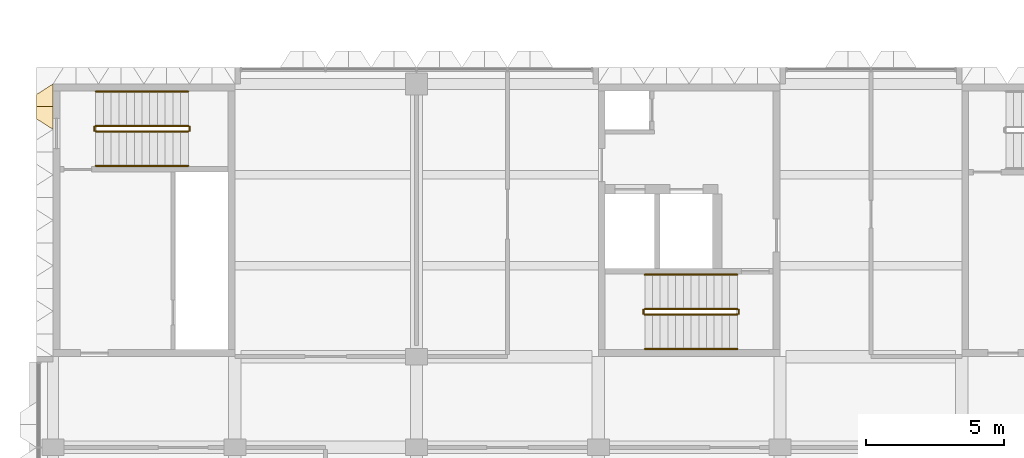
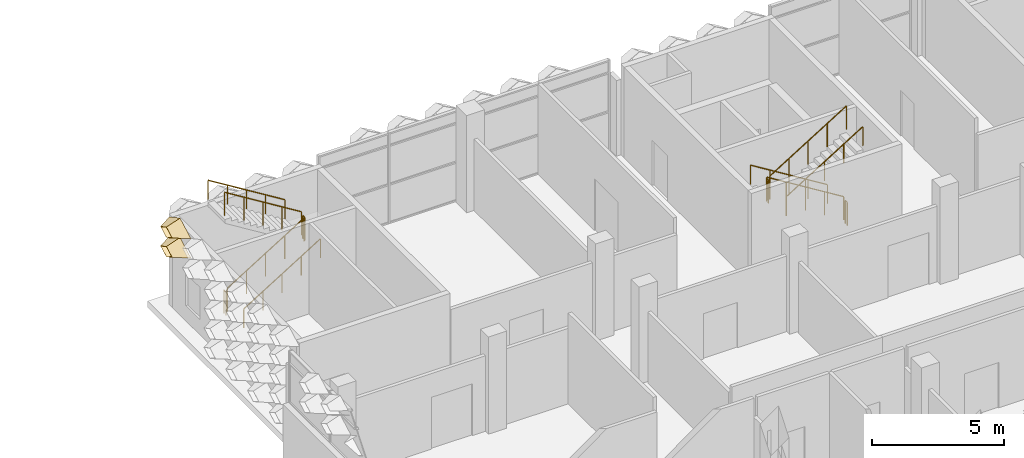
# One storey, part 60 of 102: 12 railings, 2 coverings.
"""IFC4 building model written with IfcOpenShell, lengths in metres."""

from ifc_helpers import new_model, entity, si_unit, direction, frame, origin, origin_2d, place, context, subcontext, project, spatial, circle, extrude, material, layer, layer_set, type_object, element, save


model = new_model("IFC4")

# Units and contexts
model_context = context("Model", 3, precision=1e-05, world=origin(), true_north=direction((0.0, 1.0)))
body_context = subcontext(model_context, "Body", "Model", "MODEL_VIEW")
ifc_project = project(units=[si_unit("LENGTHUNIT", "METRE"), si_unit("AREAUNIT", "SQUARE_METRE"), si_unit("VOLUMEUNIT", "CUBIC_METRE"), si_unit("PLANEANGLEUNIT", "RADIAN"), si_unit("MASSUNIT", "GRAM", prefix="KILO")], contexts=[model_context])

# Site, building, storey
site_placement = place(None, origin())
site = spatial("IfcSite", under=ifc_project, at=site_placement, CompositionType="ELEMENT")
building_placement = place(site_placement, origin())
building = spatial("IfcBuilding", under=site, at=building_placement, Name="Lantern Court Research Institute", CompositionType="ELEMENT")
storey_placement = place(building_placement, frame((0.0, 0.0, 9.89990234375)))
storey = spatial("IfcBuildingStorey", under=building, at=storey_placement, Name="L02", CompositionType="ELEMENT", Elevation=9.89990234375)

# Coverings
ifc_material_1 = material(Name="Anodised aluminium", Category="aluminium")
ifc_layer = layer(ifc_material_1, 0.01611328125)
ifc_layer_set = layer_set([ifc_layer], Name="Anodised aluminium")
covering_type = type_object("IfcCoveringType", Name="Fin cassette 1650 x 900 x 600 aluminium", PredefinedType="CLADDING", material=ifc_layer_set)
covering_1_placement = place(storey_placement, frame((0.0, 22.27490234375, 3.150146484375), z_axis=(-1.0, 0.0, 0.0), x_axis=(0.0, -1.0, 0.0)))
cartesian_point_1 = entity("IfcCartesianPoint", [0.824951171875, 0.0])
cartesian_point_2 = entity("IfcCartesianPoint", [0.79150390625, 0.0])
cartesian_point_3 = entity("IfcCartesianPoint", [0.44189453125, 0.0])
cartesian_point_4 = entity("IfcCartesianPoint", [0.43359375, 0.0])
element("IfcCovering", 1, at=covering_1_placement, inside=storey, type_object=covering_type, Name="Fin cassette V4W-L02 4.14", PredefinedType="CLADDING", context=body_context, shape_type="SweptSolid", body=[
    entity("IfcExtrudedAreaSolidTapered", entity("IfcArbitraryProfileDefWithVoids", "AREA", None, entity("IfcPolyline", [cartesian_point_1, entity("IfcCartesianPoint", [0.0, 0.449951171875]), entity("IfcCartesianPoint", [-0.824951171875, 0.0]), entity("IfcCartesianPoint", [0.0, -0.449951171875]), cartesian_point_1]), [entity("IfcPolyline", [cartesian_point_2, entity("IfcCartesianPoint", [0.0, 0.431884765625]), entity("IfcCartesianPoint", [-0.79150390625, 0.0]), entity("IfcCartesianPoint", [0.0, -0.431884765625]), cartesian_point_2])]), entity("IfcAxis2Placement3D", entity("IfcCartesianPoint", [0.0, 0.0, 0.0])), entity("IfcDirection", [0.0, 0.0, 1.0]), 0.60009765625, entity("IfcArbitraryProfileDefWithVoids", "AREA", None, entity("IfcPolyline", [cartesian_point_3, entity("IfcCartesianPoint", [0.0, 0.240966796875]), entity("IfcCartesianPoint", [-0.44189453125, 0.0]), entity("IfcCartesianPoint", [0.0, -0.240966796875]), cartesian_point_3]), [entity("IfcPolyline", [cartesian_point_4, entity("IfcCartesianPoint", [0.0, 0.236572265625]), entity("IfcCartesianPoint", [-0.43359375, 0.0]), entity("IfcCartesianPoint", [0.0, -0.236572265625]), cartesian_point_4])])),
])
covering_2_placement = place(storey_placement, frame((0.0, 22.27490234375, 4.050048828125), z_axis=(-1.0, 0.0, 0.0), x_axis=(0.0, -1.0, 0.0)))
cartesian_point_5 = entity("IfcCartesianPoint", [0.824951171875, 0.0])
cartesian_point_6 = entity("IfcCartesianPoint", [0.79150390625, 0.0])
cartesian_point_7 = entity("IfcCartesianPoint", [0.44189453125, 0.0])
cartesian_point_8 = entity("IfcCartesianPoint", [0.43359375, 0.0])
element("IfcCovering", 2, at=covering_2_placement, inside=storey, type_object=covering_type, Name="Fin cassette V4W-L02 5.14", PredefinedType="CLADDING", context=body_context, shape_type="SweptSolid", body=[
    entity("IfcExtrudedAreaSolidTapered", entity("IfcArbitraryProfileDefWithVoids", "AREA", None, entity("IfcPolyline", [cartesian_point_5, entity("IfcCartesianPoint", [0.0, 0.449951171875]), entity("IfcCartesianPoint", [-0.824951171875, 0.0]), entity("IfcCartesianPoint", [0.0, -0.449951171875]), cartesian_point_5]), [entity("IfcPolyline", [cartesian_point_6, entity("IfcCartesianPoint", [0.0, 0.431884765625]), entity("IfcCartesianPoint", [-0.79150390625, 0.0]), entity("IfcCartesianPoint", [0.0, -0.431884765625]), cartesian_point_6])]), entity("IfcAxis2Placement3D", entity("IfcCartesianPoint", [0.0, 0.0, 0.0])), entity("IfcDirection", [0.0, 0.0, 1.0]), 0.60009765625, entity("IfcArbitraryProfileDefWithVoids", "AREA", None, entity("IfcPolyline", [cartesian_point_7, entity("IfcCartesianPoint", [0.0, 0.240966796875]), entity("IfcCartesianPoint", [-0.44189453125, 0.0]), entity("IfcCartesianPoint", [0.0, -0.240966796875]), cartesian_point_7]), [entity("IfcPolyline", [cartesian_point_8, entity("IfcCartesianPoint", [0.0, 0.236572265625]), entity("IfcCartesianPoint", [-0.43359375, 0.0]), entity("IfcCartesianPoint", [0.0, -0.236572265625]), cartesian_point_8])])),
])

# Railings
ifc_material_2 = material(Name="Structural steel S355", Category="steel")
railing_type_1 = type_object("IfcRailingType", Name="Stair guard 1100 steel", PredefinedType="GUARDRAIL", material=ifc_material_2)
railing_1_placement = place(storey_placement, frame((1.550048828125, 21.375, 0.173095703125)))
element("IfcRailing", 3, at=railing_1_placement, inside=storey, type_object=railing_type_1, Name="L02 ST-B1 stair guard 1", PredefinedType="GUARDRAIL", context=body_context, shape_type="SweptSolid", body=[
    extrude(circle(Radius=0.02392578125, at=origin_2d()), frame((0.0, 0.0, 1.076171875), z_axis=(0.850606129759, 0.0, 0.525803396734), x_axis=(0.0, 1.0, 0.0)), (0.0, 0.0, 1.0), 3.949951171875),
    extrude(circle(Radius=0.02099609375, at=origin_2d()), origin(), (0.0, 0.0, 1.0), 1.052001953125),
    extrude(circle(Radius=0.02099609375, at=origin_2d()), frame((0.83984375, 0.0, 0.519287109375)), (0.0, 0.0, 1.0), 1.052001953125),
    extrude(circle(Radius=0.02099609375, at=origin_2d()), frame((1.679931640625, 0.0, 1.03857421875)), (0.0, 0.0, 1.0), 1.052001953125),
    extrude(circle(Radius=0.02099609375, at=origin_2d()), frame((2.52001953125, 0.0, 1.5576171875)), (0.0, 0.0, 1.0), 1.052001953125),
    extrude(circle(Radius=0.02099609375, at=origin_2d()), frame((3.35986328125, 0.0, 2.076904296875)), (0.0, 0.0, 1.0), 1.052001953125),
])
railing_2_placement = place(storey_placement, frame((4.9599609375, 21.39990234375, 2.25)))
element("IfcRailing", 4, at=railing_2_placement, inside=storey, type_object=railing_type_1, Name="L02 ST-B1 stair guard 2", PredefinedType="GUARDRAIL", context=body_context, shape_type="SweptSolid", body=[
    extrude(circle(Radius=0.02392578125, at=origin_2d()), frame((0.0, 0.0, 1.076171875), z_axis=(0.0, 1.0, 0.0), x_axis=(-1.0, 0.0, 0.0)), (0.0, 0.0, 1.0), 0.150146484375),
    extrude(circle(Radius=0.02099609375, at=origin_2d()), origin(), (0.0, 0.0, 1.0), 1.052001953125),
    extrude(circle(Radius=0.02099609375, at=origin_2d()), frame((0.0, 0.150146484375, 0.0)), (0.0, 0.0, 1.0), 1.052001953125),
])
railing_3_placement = place(storey_placement, frame((4.909912109375, 21.574951171875, 2.423095703125)))
element("IfcRailing", 5, at=railing_3_placement, inside=storey, type_object=railing_type_1, Name="L02 ST-B1 stair guard 3", PredefinedType="GUARDRAIL", context=body_context, shape_type="SweptSolid", body=[
    extrude(circle(Radius=0.02392578125, at=origin_2d()), frame((0.0, 0.0, 1.076171875), z_axis=(-0.850606129759, 0.0, 0.525803396734), x_axis=(0.0, -1.0, 0.0)), (0.0, 0.0, 1.0), 3.949951171875),
    extrude(circle(Radius=0.02099609375, at=origin_2d()), origin(), (0.0, 0.0, 1.0), 1.052001953125),
    extrude(circle(Radius=0.02099609375, at=origin_2d()), frame((-0.83984375, 0.0, 0.519287109375)), (0.0, 0.0, 1.0), 1.052001953125),
    extrude(circle(Radius=0.02099609375, at=origin_2d()), frame((-1.679931640625, 0.0, 1.03857421875)), (0.0, 0.0, 1.0), 1.052001953125),
    extrude(circle(Radius=0.02099609375, at=origin_2d()), frame((-2.52001953125, 0.0, 1.5576171875)), (0.0, 0.0, 1.0), 1.052001953125),
    extrude(circle(Radius=0.02099609375, at=origin_2d()), frame((-3.35986328125, 0.0, 2.076904296875)), (0.0, 0.0, 1.0), 1.052001953125),
])
railing_4_placement = place(storey_placement, frame((1.5, 21.39990234375, 0.0)))
element("IfcRailing", 6, at=railing_4_placement, inside=storey, type_object=railing_type_1, Name="L02 ST-B1 stair guard 4", PredefinedType="GUARDRAIL", context=body_context, shape_type="SweptSolid", body=[
    extrude(circle(Radius=0.02392578125, at=origin_2d()), frame((0.0, 0.0, 1.076171875), z_axis=(0.0, 1.0, 0.0), x_axis=(-1.0, 0.0, 0.0)), (0.0, 0.0, 1.0), 0.150146484375),
    extrude(circle(Radius=0.02099609375, at=origin_2d()), origin(), (0.0, 0.0, 1.0), 1.052001953125),
    extrude(circle(Radius=0.02099609375, at=origin_2d()), frame((0.0, 0.150146484375, 0.0)), (0.0, 0.0, 1.0), 1.052001953125),
])
railing_5_placement = place(storey_placement, frame((24.85009765625, 14.925048828125, 0.173095703125)))
element("IfcRailing", 7, at=railing_5_placement, inside=storey, type_object=railing_type_1, Name="L02 ST-B2 stair guard 1", PredefinedType="GUARDRAIL", context=body_context, shape_type="SweptSolid", body=[
    extrude(circle(Radius=0.02392578125, at=origin_2d()), frame((0.0, 0.0, 1.076171875), z_axis=(-0.850623216509, 0.0, 0.525775754039), x_axis=(0.0, -1.0, 0.0)), (0.0, 0.0, 1.0), 3.9501953125),
    extrude(circle(Radius=0.02099609375, at=origin_2d()), origin(), (0.0, 0.0, 1.0), 1.052001953125),
    extrude(circle(Radius=0.02099609375, at=origin_2d()), frame((-0.840087890625, 0.0, 0.519287109375)), (0.0, 0.0, 1.0), 1.052001953125),
    extrude(circle(Radius=0.02099609375, at=origin_2d()), frame((-1.68017578125, 0.0, 1.03857421875)), (0.0, 0.0, 1.0), 1.052001953125),
    extrude(circle(Radius=0.02099609375, at=origin_2d()), frame((-2.52001953125, 0.0, 1.5576171875)), (0.0, 0.0, 1.0), 1.052001953125),
    extrude(circle(Radius=0.02099609375, at=origin_2d()), frame((-3.360107421875, 0.0, 2.076904296875)), (0.0, 0.0, 1.0), 1.052001953125),
])
railing_6_placement = place(storey_placement, frame((21.43994140625, 14.89990234375, 2.25)))
element("IfcRailing", 8, at=railing_6_placement, inside=storey, type_object=railing_type_1, Name="L02 ST-B2 stair guard 2", PredefinedType="GUARDRAIL", context=body_context, shape_type="SweptSolid", body=[
    extrude(circle(Radius=0.02392578125, at=origin_2d()), frame((0.0, 0.0, 1.076171875), z_axis=(0.0, -1.0, 0.0), x_axis=(1.0, 0.0, 0.0)), (0.0, 0.0, 1.0), 0.14990234375),
    extrude(circle(Radius=0.02099609375, at=origin_2d()), origin(), (0.0, 0.0, 1.0), 1.052001953125),
    extrude(circle(Radius=0.02099609375, at=origin_2d()), frame((0.0, -0.14990234375, 0.0)), (0.0, 0.0, 1.0), 1.052001953125),
])
railing_7_placement = place(storey_placement, frame((21.489990234375, 14.72509765625, 2.423095703125)))
element("IfcRailing", 9, at=railing_7_placement, inside=storey, type_object=railing_type_1, Name="L02 ST-B2 stair guard 3", PredefinedType="GUARDRAIL", context=body_context, shape_type="SweptSolid", body=[
    extrude(circle(Radius=0.02392578125, at=origin_2d()), frame((0.0, 0.0, 1.076171875), z_axis=(0.850623216509, 0.0, 0.525775754039), x_axis=(0.0, 1.0, 0.0)), (0.0, 0.0, 1.0), 3.9501953125),
    extrude(circle(Radius=0.02099609375, at=origin_2d()), origin(), (0.0, 0.0, 1.0), 1.052001953125),
    extrude(circle(Radius=0.02099609375, at=origin_2d()), frame((0.840087890625, 0.0, 0.519287109375)), (0.0, 0.0, 1.0), 1.052001953125),
    extrude(circle(Radius=0.02099609375, at=origin_2d()), frame((1.68017578125, 0.0, 1.03857421875)), (0.0, 0.0, 1.0), 1.052001953125),
    extrude(circle(Radius=0.02099609375, at=origin_2d()), frame((2.52001953125, 0.0, 1.5576171875)), (0.0, 0.0, 1.0), 1.052001953125),
    extrude(circle(Radius=0.02099609375, at=origin_2d()), frame((3.360107421875, 0.0, 2.076904296875)), (0.0, 0.0, 1.0), 1.052001953125),
])
railing_8_placement = place(storey_placement, frame((24.89990234375, 14.89990234375, 0.0)))
element("IfcRailing", 10, at=railing_8_placement, inside=storey, type_object=railing_type_1, Name="L02 ST-B2 stair guard 4", PredefinedType="GUARDRAIL", context=body_context, shape_type="SweptSolid", body=[
    extrude(circle(Radius=0.02392578125, at=origin_2d()), frame((0.0, 0.0, 1.076171875), z_axis=(0.0, -1.0, 0.0), x_axis=(1.0, 0.0, 0.0)), (0.0, 0.0, 1.0), 0.14990234375),
    extrude(circle(Radius=0.02099609375, at=origin_2d()), origin(), (0.0, 0.0, 1.0), 1.052001953125),
    extrude(circle(Radius=0.02099609375, at=origin_2d()), frame((0.0, -0.14990234375, 0.0)), (0.0, 0.0, 1.0), 1.052001953125),
])
ifc_material_3 = material(Name="Stainless steel 316", Category="steel")
railing_type_2 = type_object("IfcRailingType", Name="Stair handrail 900 steel", PredefinedType="HANDRAIL", material=ifc_material_3)
railing_9_placement = place(storey_placement, frame((1.550048828125, 20.125, 0.173095703125)))
element("IfcRailing", 11, at=railing_9_placement, inside=storey, type_object=railing_type_2, Name="L02 ST-B1 stair handrail 1", PredefinedType="HANDRAIL", context=body_context, shape_type="SweptSolid", body=[
    extrude(circle(Radius=0.02392578125, at=origin_2d()), frame((0.0, 0.0, 0.8759765625), z_axis=(0.850606129759, 0.0, 0.525803396734), x_axis=(0.0, 1.0, 0.0)), (0.0, 0.0, 1.0), 3.949951171875),
    extrude(circle(Radius=0.02099609375, at=origin_2d()), origin(), (0.0, 0.0, 1.0), 0.851806640625),
    extrude(circle(Radius=0.02099609375, at=origin_2d()), frame((0.83984375, 0.0, 0.519287109375)), (0.0, 0.0, 1.0), 0.851806640625),
    extrude(circle(Radius=0.02099609375, at=origin_2d()), frame((1.679931640625, 0.0, 1.03857421875)), (0.0, 0.0, 1.0), 0.851806640625),
    extrude(circle(Radius=0.02099609375, at=origin_2d()), frame((2.52001953125, 0.0, 1.5576171875)), (0.0, 0.0, 1.0), 0.851806640625),
    extrude(circle(Radius=0.02099609375, at=origin_2d()), frame((3.35986328125, 0.0, 2.076904296875)), (0.0, 0.0, 1.0), 0.851806640625),
])
railing_10_placement = place(storey_placement, frame((4.909912109375, 22.824951171875, 2.423095703125)))
element("IfcRailing", 12, at=railing_10_placement, inside=storey, type_object=railing_type_2, Name="L02 ST-B1 stair handrail 2", PredefinedType="HANDRAIL", context=body_context, shape_type="SweptSolid", body=[
    extrude(circle(Radius=0.02392578125, at=origin_2d()), frame((0.0, 0.0, 0.8759765625), z_axis=(-0.850606129759, 0.0, 0.525803396734), x_axis=(0.0, -1.0, 0.0)), (0.0, 0.0, 1.0), 3.949951171875),
    extrude(circle(Radius=0.02099609375, at=origin_2d()), origin(), (0.0, 0.0, 1.0), 0.851806640625),
    extrude(circle(Radius=0.02099609375, at=origin_2d()), frame((-0.83984375, 0.0, 0.519287109375)), (0.0, 0.0, 1.0), 0.851806640625),
    extrude(circle(Radius=0.02099609375, at=origin_2d()), frame((-1.679931640625, 0.0, 1.03857421875)), (0.0, 0.0, 1.0), 0.851806640625),
    extrude(circle(Radius=0.02099609375, at=origin_2d()), frame((-2.52001953125, 0.0, 1.5576171875)), (0.0, 0.0, 1.0), 0.851806640625),
    extrude(circle(Radius=0.02099609375, at=origin_2d()), frame((-3.35986328125, 0.0, 2.076904296875)), (0.0, 0.0, 1.0), 0.851806640625),
])
railing_11_placement = place(storey_placement, frame((24.85009765625, 16.175048828125, 0.173095703125)))
element("IfcRailing", 13, at=railing_11_placement, inside=storey, type_object=railing_type_2, Name="L02 ST-B2 stair handrail 1", PredefinedType="HANDRAIL", context=body_context, shape_type="SweptSolid", body=[
    extrude(circle(Radius=0.02392578125, at=origin_2d()), frame((0.0, 0.0, 0.8759765625), z_axis=(-0.850623216509, 0.0, 0.525775754039), x_axis=(0.0, -1.0, 0.0)), (0.0, 0.0, 1.0), 3.9501953125),
    extrude(circle(Radius=0.02099609375, at=origin_2d()), origin(), (0.0, 0.0, 1.0), 0.851806640625),
    extrude(circle(Radius=0.02099609375, at=origin_2d()), frame((-0.840087890625, 0.0, 0.519287109375)), (0.0, 0.0, 1.0), 0.851806640625),
    extrude(circle(Radius=0.02099609375, at=origin_2d()), frame((-1.68017578125, 0.0, 1.03857421875)), (0.0, 0.0, 1.0), 0.851806640625),
    extrude(circle(Radius=0.02099609375, at=origin_2d()), frame((-2.52001953125, 0.0, 1.5576171875)), (0.0, 0.0, 1.0), 0.851806640625),
    extrude(circle(Radius=0.02099609375, at=origin_2d()), frame((-3.360107421875, 0.0, 2.076904296875)), (0.0, 0.0, 1.0), 0.851806640625),
])
railing_12_placement = place(storey_placement, frame((21.489990234375, 13.47509765625, 2.423095703125)))
element("IfcRailing", 14, at=railing_12_placement, inside=storey, type_object=railing_type_2, Name="L02 ST-B2 stair handrail 2", PredefinedType="HANDRAIL", context=body_context, shape_type="SweptSolid", body=[
    extrude(circle(Radius=0.02392578125, at=origin_2d()), frame((0.0, 0.0, 0.8759765625), z_axis=(0.850623216509, 0.0, 0.525775754039), x_axis=(0.0, 1.0, 0.0)), (0.0, 0.0, 1.0), 3.9501953125),
    extrude(circle(Radius=0.02099609375, at=origin_2d()), origin(), (0.0, 0.0, 1.0), 0.851806640625),
    extrude(circle(Radius=0.02099609375, at=origin_2d()), frame((0.840087890625, 0.0, 0.519287109375)), (0.0, 0.0, 1.0), 0.851806640625),
    extrude(circle(Radius=0.02099609375, at=origin_2d()), frame((1.68017578125, 0.0, 1.03857421875)), (0.0, 0.0, 1.0), 0.851806640625),
    extrude(circle(Radius=0.02099609375, at=origin_2d()), frame((2.52001953125, 0.0, 1.5576171875)), (0.0, 0.0, 1.0), 0.851806640625),
    extrude(circle(Radius=0.02099609375, at=origin_2d()), frame((3.360107421875, 0.0, 2.076904296875)), (0.0, 0.0, 1.0), 0.851806640625),
])

save(model, "model.ifc")
